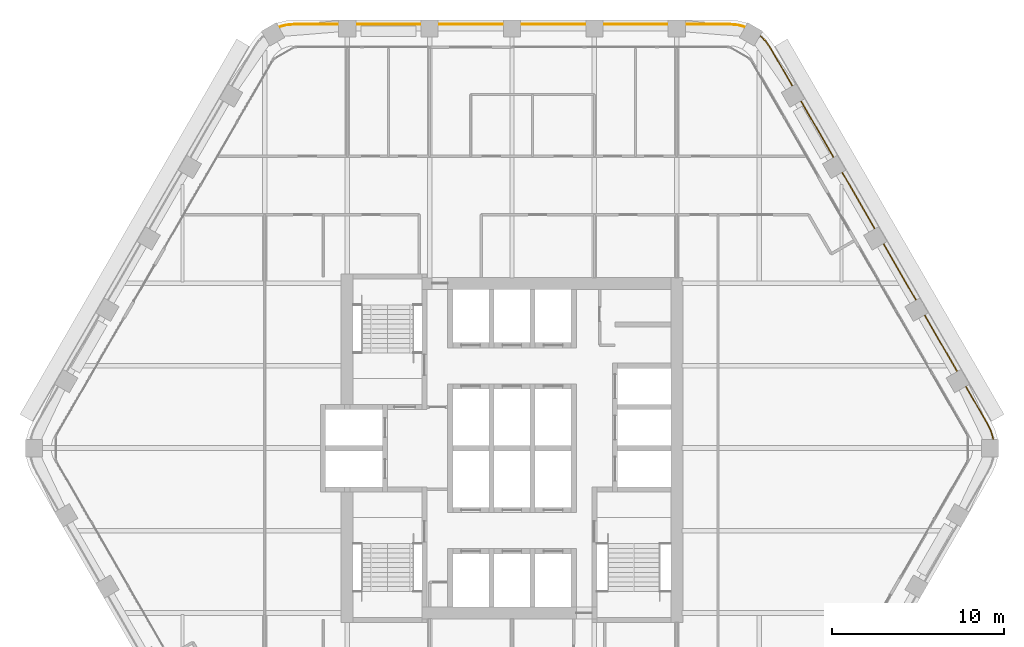
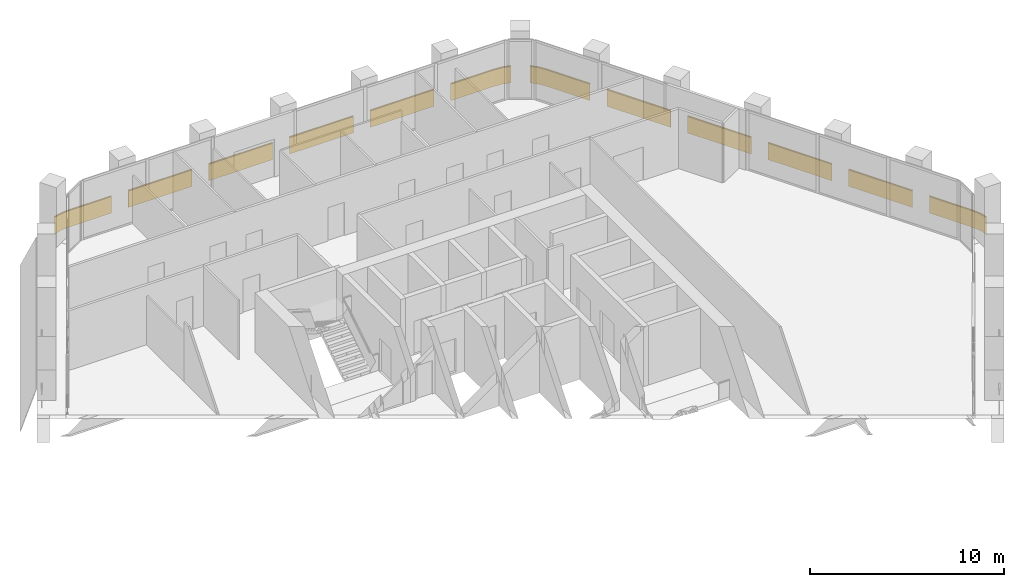
# One storey, part 15 of 15: 2 railings.
"""IFC4 building model written with IfcOpenShell, lengths in metres."""

from ifc_helpers import new_model, si_unit, direction, frame, frame_2d, origin, origin_2d, place, context, subcontext, project, spatial, rectangle, extrude, material, type_object, element, save


model = new_model("IFC4")

# Units and contexts
model_context = context("Model", 3, precision=1e-05, world=origin(), true_north=direction((0.0, 1.0)))
body_context = subcontext(model_context, "Body", "Model", "MODEL_VIEW")
ifc_project = project(units=[si_unit("LENGTHUNIT", "METRE"), si_unit("AREAUNIT", "SQUARE_METRE"), si_unit("VOLUMEUNIT", "CUBIC_METRE"), si_unit("PLANEANGLEUNIT", "RADIAN"), si_unit("MASSUNIT", "GRAM", prefix="KILO")], contexts=[model_context])

# Site, building, storey
site_placement = place(None, origin())
site = spatial("IfcSite", under=ifc_project, at=site_placement, CompositionType="ELEMENT")
building_placement = place(site_placement, origin())
building = spatial("IfcBuilding", under=site, at=building_placement, Name="Kolab Exchange Tower", CompositionType="ELEMENT")
storey_placement = place(building_placement, frame((0.0, 0.0, 170.0)))
storey = spatial("IfcBuildingStorey", under=building, at=storey_placement, Name="L35", CompositionType="ELEMENT", Elevation=170.0)

# Railings
ifc_material = material(Name="Steel S235", Category="steel")
railing_type = type_object("IfcRailingType", Name="GUARD 1100 GLASS BALUSTRADE AND STEEL TOP RAIL", PredefinedType="GUARDRAIL", material=ifc_material)
railing_1_placement = place(storey_placement, frame((13.588623046875, 24.531005859375, 0.0)))
element("IfcRailing", 1, at=railing_1_placement, inside=storey, type_object=railing_type, Name="Guard", PredefinedType="GUARDRAIL", context=body_context, shape_type="SweptSolid", body=[
    extrude(rectangle(XDim=0.05, YDim=0.05, at=origin_2d()), frame((0.0, 0.0, 1.0751953125), z_axis=(-0.965969425465, 0.25865627591, 0.0), x_axis=(-0.25865627591, -0.965969425465, 0.0)), (0.0, 0.0, 1.0), 0.458740234375),
    extrude(rectangle(XDim=0.012, YDim=1.05009765625, at=frame_2d((0.0, 0.525146484375))), frame((0.0, 0.0, 0.0), z_axis=(-0.965969425465, 0.25865627591, 0.0), x_axis=(-0.25865627591, -0.965969425465, 0.0)), (0.0, 0.0, 1.0), 0.458740234375),
    extrude(rectangle(XDim=0.05, YDim=0.05, at=origin_2d()), frame((-0.443115234375, 0.11865234375, 1.0751953125), z_axis=(-0.996156034798, 0.087596542937, 0.0), x_axis=(-0.087596542937, -0.996156034798, 0.0)), (0.0, 0.0, 1.0), 0.4794921875),
    extrude(rectangle(XDim=0.012, YDim=1.05009765625, at=frame_2d((0.0, 0.525146484375))), frame((-0.443115234375, 0.11865234375, 0.0), z_axis=(-0.996156034798, 0.087596542937, 0.0), x_axis=(-0.087596542937, -0.996156034798, 0.0)), (0.0, 0.0, 1.0), 0.4794921875),
    extrude(rectangle(XDim=0.05, YDim=0.05, at=origin_2d()), frame((-0.920654296875, 0.16064453125, 1.0751953125), z_axis=(-1.0, 0.0, 0.0), x_axis=(0.0, -1.0, 0.0)), (0.0, 0.0, 1.0), 2.56787109375),
    extrude(rectangle(XDim=0.012, YDim=1.05009765625, at=frame_2d((0.0, 0.525146484375))), frame((-0.920654296875, 0.16064453125, 0.0), z_axis=(-1.0, 0.0, 0.0), x_axis=(0.0, -1.0, 0.0)), (0.0, 0.0, 1.0), 2.56787109375),
    extrude(rectangle(XDim=0.05, YDim=0.05, at=origin_2d()), frame((-4.488525390625, 0.16064453125, 1.0751953125), z_axis=(-1.0, 0.0, 0.0), x_axis=(0.0, -1.0, 0.0)), (0.0, 0.0, 1.0), 3.800048828125),
    extrude(rectangle(XDim=0.012, YDim=1.05009765625, at=frame_2d((0.0, 0.525146484375))), frame((-4.488525390625, 0.16064453125, 0.0), z_axis=(-1.0, 0.0, 0.0), x_axis=(0.0, -1.0, 0.0)), (0.0, 0.0, 1.0), 3.800048828125),
    extrude(rectangle(XDim=0.05, YDim=0.05, at=origin_2d()), frame((-9.28857421875, 0.16064453125, 1.0751953125), z_axis=(-1.0, 0.0, 0.0), x_axis=(0.0, -1.0, 0.0)), (0.0, 0.0, 1.0), 3.800048828125),
    extrude(rectangle(XDim=0.012, YDim=1.05009765625, at=frame_2d((0.0, 0.525146484375))), frame((-9.28857421875, 0.16064453125, 0.0), z_axis=(-1.0, 0.0, 0.0), x_axis=(0.0, -1.0, 0.0)), (0.0, 0.0, 1.0), 3.800048828125),
    extrude(rectangle(XDim=0.05, YDim=0.05, at=origin_2d()), frame((-14.088623046875, 0.16064453125, 1.0751953125), z_axis=(-1.0, 0.0, 0.0), x_axis=(0.0, -1.0, 0.0)), (0.0, 0.0, 1.0), 3.800048828125),
    extrude(rectangle(XDim=0.012, YDim=1.05009765625, at=frame_2d((0.0, 0.525146484375))), frame((-14.088623046875, 0.16064453125, 0.0), z_axis=(-1.0, 0.0, 0.0), x_axis=(0.0, -1.0, 0.0)), (0.0, 0.0, 1.0), 3.800048828125),
    extrude(rectangle(XDim=0.05, YDim=0.05, at=origin_2d()), frame((-18.888671875, 0.16064453125, 1.0751953125), z_axis=(-1.0, 0.0, 0.0), x_axis=(0.0, -1.0, 0.0)), (0.0, 0.0, 1.0), 3.800048828125),
    extrude(rectangle(XDim=0.012, YDim=1.05009765625, at=frame_2d((0.0, 0.525146484375))), frame((-18.888671875, 0.16064453125, 0.0), z_axis=(-1.0, 0.0, 0.0), x_axis=(0.0, -1.0, 0.0)), (0.0, 0.0, 1.0), 3.800048828125),
    extrude(rectangle(XDim=0.05, YDim=0.05, at=origin_2d()), frame((-23.688720703125, 0.16064453125, 1.0751953125), z_axis=(-1.0, 0.0, 0.0), x_axis=(0.0, -1.0, 0.0)), (0.0, 0.0, 1.0), 2.56787109375),
    extrude(rectangle(XDim=0.012, YDim=1.05009765625, at=frame_2d((0.0, 0.525146484375))), frame((-23.688720703125, 0.16064453125, 0.0), z_axis=(-1.0, 0.0, 0.0), x_axis=(0.0, -1.0, 0.0)), (0.0, 0.0, 1.0), 2.56787109375),
    extrude(rectangle(XDim=0.05, YDim=0.05, at=origin_2d()), frame((-26.256591796875, 0.16064453125, 1.0751953125), z_axis=(-0.996156034798, -0.087596542937, 0.0), x_axis=(0.087596542937, -0.996156034798, 0.0)), (0.0, 0.0, 1.0), 0.4794921875),
    extrude(rectangle(XDim=0.012, YDim=1.05009765625, at=frame_2d((0.0, 0.525146484375))), frame((-26.256591796875, 0.16064453125, 0.0), z_axis=(-0.996156034798, -0.087596542937, 0.0), x_axis=(0.087596542937, -0.996156034798, 0.0)), (0.0, 0.0, 1.0), 0.4794921875),
    extrude(rectangle(XDim=0.05, YDim=0.05, at=origin_2d()), frame((-26.734130859375, 0.11865234375, 1.0751953125), z_axis=(-0.965969425465, -0.25865627591, 0.0), x_axis=(0.25865627591, -0.965969425465, 0.0)), (0.0, 0.0, 1.0), 0.458740234375),
    extrude(rectangle(XDim=0.012, YDim=1.05009765625, at=frame_2d((0.0, 0.525146484375))), frame((-26.734130859375, 0.11865234375, 0.0), z_axis=(-0.965969425465, -0.25865627591, 0.0), x_axis=(0.25865627591, -0.965969425465, 0.0)), (0.0, 0.0, 1.0), 0.458740234375),
])
railing_2_placement = place(storey_placement, frame((28.038818359375, 0.49755859375, 0.0)))
element("IfcRailing", 2, at=railing_2_placement, inside=storey, type_object=railing_type, Name="Guard", PredefinedType="GUARDRAIL", context=body_context, shape_type="SweptSolid", body=[
    extrude(rectangle(XDim=0.05, YDim=0.05, at=origin_2d()), frame((0.0, 0.0, 1.0751953125), z_axis=(-0.25865627591, 0.965969425465, 0.0), x_axis=(-0.965969425465, -0.25865627591, 0.0)), (0.0, 0.0, 1.0), 0.458740234375),
    extrude(rectangle(XDim=0.012, YDim=1.05009765625, at=frame_2d((0.0, 0.525146484375))), frame((0.0, 0.0, 0.0), z_axis=(-0.25865627591, 0.965969425465, 0.0), x_axis=(-0.965969425465, -0.25865627591, 0.0)), (0.0, 0.0, 1.0), 0.458740234375),
    extrude(rectangle(XDim=0.05, YDim=0.05, at=origin_2d()), frame((-0.11865234375, 0.443115234375, 1.0751953125), z_axis=(-0.422801802984, 0.906222177721, 0.0), x_axis=(-0.906222177721, -0.422801802984, 0.0)), (0.0, 0.0, 1.0), 0.479248046875),
    extrude(rectangle(XDim=0.012, YDim=1.05009765625, at=frame_2d((0.0, 0.525146484375))), frame((-0.11865234375, 0.443115234375, 0.0), z_axis=(-0.422801802984, 0.906222177721, 0.0), x_axis=(-0.906222177721, -0.422801802984, 0.0)), (0.0, 0.0, 1.0), 0.479248046875),
    extrude(rectangle(XDim=0.05, YDim=0.05, at=origin_2d()), frame((-0.3212890625, 0.87744140625, 1.0751953125), z_axis=(-0.499994038704, 0.866028845513, 0.0), x_axis=(-0.866028845513, -0.499994038704, 0.0)), (0.0, 0.0, 1.0), 2.56787109375),
    extrude(rectangle(XDim=0.012, YDim=1.05009765625, at=frame_2d((0.0, 0.525146484375))), frame((-0.3212890625, 0.87744140625, 0.0), z_axis=(-0.499994038704, 0.866028845513, 0.0), x_axis=(-0.866028845513, -0.499994038704, 0.0)), (0.0, 0.0, 1.0), 2.56787109375),
    extrude(rectangle(XDim=0.05, YDim=0.05, at=origin_2d()), frame((-2.105224609375, 3.96728515625, 1.0751953125), z_axis=(-0.500015340139, 0.86601654697, 0.0), x_axis=(-0.86601654697, -0.500015340139, 0.0)), (0.0, 0.0, 1.0), 3.80029296875),
    extrude(rectangle(XDim=0.012, YDim=1.05009765625, at=frame_2d((0.0, 0.525146484375))), frame((-2.105224609375, 3.96728515625, 0.0), z_axis=(-0.500015340139, 0.86601654697, 0.0), x_axis=(-0.86601654697, -0.500015340139, 0.0)), (0.0, 0.0, 1.0), 3.80029296875),
    extrude(rectangle(XDim=0.05, YDim=0.05, at=origin_2d()), frame((-4.50537109375, 8.124267578125, 1.0751953125), z_axis=(-0.499967155389, 0.866044365799, 0.0), x_axis=(-0.866044365799, -0.499967155389, 0.0)), (0.0, 0.0, 1.0), 3.800048828125),
    extrude(rectangle(XDim=0.012, YDim=1.05009765625, at=frame_2d((0.0, 0.525146484375))), frame((-4.50537109375, 8.124267578125, 0.0), z_axis=(-0.499967155389, 0.866044365799, 0.0), x_axis=(-0.866044365799, -0.499967155389, 0.0)), (0.0, 0.0, 1.0), 3.800048828125),
    extrude(rectangle(XDim=0.05, YDim=0.05, at=origin_2d()), frame((-6.9052734375, 12.28125, 1.0751953125), z_axis=(-0.500043160704, 0.866000483506, 0.0), x_axis=(-0.866000483506, -0.500043160704, 0.0)), (0.0, 0.0, 1.0), 3.800048828125),
    extrude(rectangle(XDim=0.012, YDim=1.05009765625, at=frame_2d((0.0, 0.525146484375))), frame((-6.9052734375, 12.28125, 0.0), z_axis=(-0.500043160704, 0.866000483506, 0.0), x_axis=(-0.866000483506, -0.500043160704, 0.0)), (0.0, 0.0, 1.0), 3.800048828125),
    extrude(rectangle(XDim=0.05, YDim=0.05, at=origin_2d()), frame((-9.305419921875, 16.438232421875, 1.0751953125), z_axis=(-0.499994975061, 0.866028304915, 0.0), x_axis=(-0.866028304915, -0.499994975061, 0.0)), (0.0, 0.0, 1.0), 3.7998046875),
    extrude(rectangle(XDim=0.012, YDim=1.05009765625, at=frame_2d((0.0, 0.525146484375))), frame((-9.305419921875, 16.438232421875, 0.0), z_axis=(-0.499994975061, 0.866028304915, 0.0), x_axis=(-0.866028304915, -0.499994975061, 0.0)), (0.0, 0.0, 1.0), 3.7998046875),
    extrude(rectangle(XDim=0.05, YDim=0.05, at=origin_2d()), frame((-11.705322265625, 20.594970703125, 1.0751953125), z_axis=(-0.499952873616, 0.866052610505, 0.0), x_axis=(-0.866052610505, -0.499952873616, 0.0)), (0.0, 0.0, 1.0), 2.568115234375),
    extrude(rectangle(XDim=0.012, YDim=1.05009765625, at=frame_2d((0.0, 0.525146484375))), frame((-11.705322265625, 20.594970703125, 0.0), z_axis=(-0.499952873616, 0.866052610505, 0.0), x_axis=(-0.866052610505, -0.499952873616, 0.0)), (0.0, 0.0, 1.0), 2.568115234375),
    extrude(rectangle(XDim=0.05, YDim=0.05, at=origin_2d()), frame((-12.9892578125, 22.819091796875, 1.0751953125), z_axis=(-0.573599091554, 0.819136180478, 0.0), x_axis=(-0.819136180478, -0.573599091554, 0.0)), (0.0, 0.0, 1.0), 0.479248046875),
    extrude(rectangle(XDim=0.012, YDim=1.05009765625, at=frame_2d((0.0, 0.525146484375))), frame((-12.9892578125, 22.819091796875, 0.0), z_axis=(-0.573599091554, 0.819136180478, 0.0), x_axis=(-0.819136180478, -0.573599091554, 0.0)), (0.0, 0.0, 1.0), 0.479248046875),
    extrude(rectangle(XDim=0.05, YDim=0.05, at=origin_2d()), frame((-13.26416015625, 23.211669921875, 1.0751953125), z_axis=(-0.70737286085, 0.706840601361, 0.0), x_axis=(-0.706840601361, -0.70737286085, 0.0)), (0.0, 0.0, 1.0), 0.458740234375),
    extrude(rectangle(XDim=0.012, YDim=1.05009765625, at=frame_2d((0.0, 0.525146484375))), frame((-13.26416015625, 23.211669921875, 0.0), z_axis=(-0.70737286085, 0.706840601361, 0.0), x_axis=(-0.706840601361, -0.70737286085, 0.0)), (0.0, 0.0, 1.0), 0.458740234375),
])

save(model, "model.ifc")
